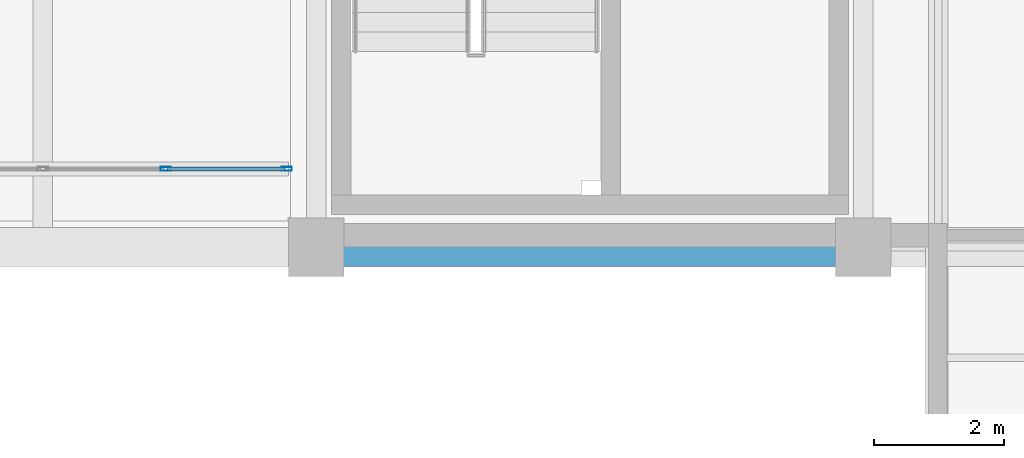
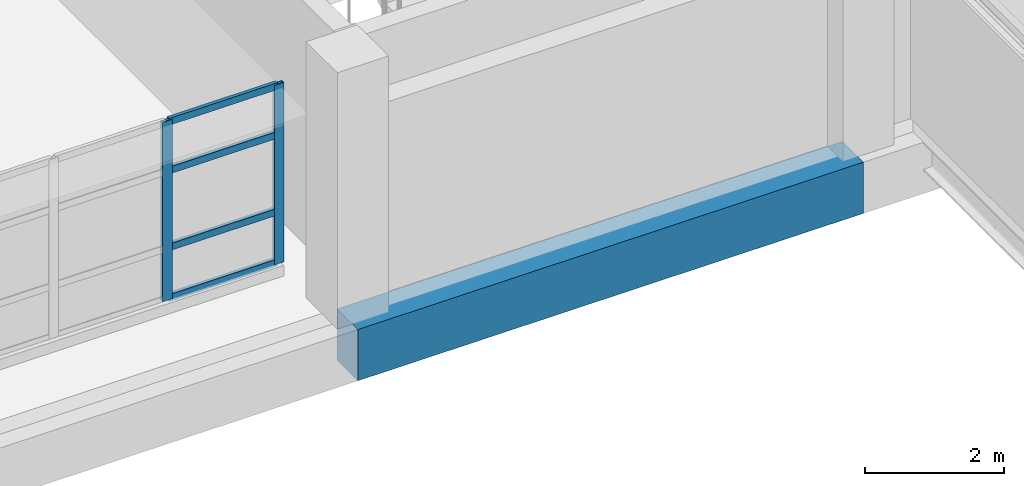
# One storey, part 28 of 113: 6 members, 1 beam, 1 element without a shape of its own.
"""IFC4 building model written with IfcOpenShell, lengths in metres."""

import ifcopenshell
import ifcopenshell.guid

model = None  # the IFC model being written
_history = None  # IfcOwnerHistory: only IFC2X3 demands one
_inside = {}  # id of a spatial element -> (the spatial element, [elements in it])
_under = {}  # id of a project, library or spatial element -> (it, [spatial elements below it])
_declared = {}  # id of a project -> (the project, [libraries it declares])
_typed = {}  # id of a type object -> (the type object, [elements of that type])
_made_of = {}  # id of a material, layer set ... -> (it, [elements and type objects made of it])


def new_model(schema):
    """Start an empty IFC model of exactly this schema.

    Asked for "IFC4X3", IfcOpenShell would pick the latest addendum, in which some entities
    have other attributes; the version numbers below select the first issue.
    IFC2X3 requires an IfcOwnerHistory on every rooted entity: one is made here for all.
    """
    global model, _history
    if schema == "IFC4X3":
        model = ifcopenshell.file(schema_version=(4, 3, 0, 0))
    else:
        model = ifcopenshell.file(schema=schema)
    _inside.clear()
    _under.clear()
    _declared.clear()
    _typed.clear()
    _made_of.clear()
    _history = None
    if model.schema == "IFC2X3":
        org = make("IfcOrganization", Name="unknown")
        user = make(
            "IfcPersonAndOrganization",
            ThePerson=make("IfcPerson", FamilyName="unknown"),
            TheOrganization=org,
        )
        app = make(
            "IfcApplication",
            ApplicationDeveloper=org,
            Version="unknown",
            ApplicationFullName="unknown",
            ApplicationIdentifier="unknown",
        )
        _history = make(
            "IfcOwnerHistory",
            OwningUser=user,
            OwningApplication=app,
            ChangeAction="ADDED",
            CreationDate=0,
        )
    return model


def make(cls, **values):
    """One entity of the class cls with the attributes given. An attribute that is None is left unset."""
    return model.create_entity(
        cls, **{name: value for name, value in values.items() if value is not None}
    )


def rooted(cls, **values):
    """An entity with a GlobalId (a new one), such as an element, a storey or a relation."""
    return make(cls, GlobalId=ifcopenshell.guid.new(), OwnerHistory=_history, **values)


def si_unit(unit_type, name, prefix=None):
    """IfcSIUnit, for example si_unit("LENGTHUNIT", "METRE", prefix="MILLI")."""
    return make("IfcSIUnit", UnitType=unit_type, Prefix=prefix, Name=name)


def assignment(units):
    """IfcUnitAssignment: the units of a project."""
    return None if units is None else make("IfcUnitAssignment", Units=units)


def point(xyz):
    """IfcCartesianPoint."""
    return None if xyz is None else make("IfcCartesianPoint", Coordinates=xyz)


def direction(xyz):
    """IfcDirection."""
    return None if xyz is None else make("IfcDirection", DirectionRatios=xyz)


def frame(location, z_axis=None, x_axis=None):
    """IfcAxis2Placement3D, a coordinate frame: its origin and axes. An axis left out is left unset."""
    return make(
        "IfcAxis2Placement3D",
        Location=point(location),
        Axis=direction(z_axis),
        RefDirection=direction(x_axis),
    )


def frame_2d(location, x_axis=None):
    """IfcAxis2Placement2D, a coordinate frame in the plane: its origin and x axis."""
    return make(
        "IfcAxis2Placement2D", Location=point(location), RefDirection=direction(x_axis)
    )


def origin():
    """The frame at (0, 0, 0) with its axes left unset."""
    return frame((0.0, 0.0, 0.0))


def origin_2d():
    """The frame at (0, 0) in the plane with its x axis left unset."""
    return frame_2d((0.0, 0.0))


def place(relative_to, where):
    """IfcLocalPlacement: puts the frame where relative to a parent placement (None: the world)."""
    return make(
        "IfcLocalPlacement", PlacementRelTo=relative_to, RelativePlacement=where
    )


def context(
    kind, dimensions, precision=None, world=None, true_north=None, identifier=None
):
    """IfcGeometricRepresentationContext, for example the 3D "Model" context."""
    return make(
        "IfcGeometricRepresentationContext",
        ContextIdentifier=identifier,
        ContextType=kind,
        CoordinateSpaceDimension=dimensions,
        Precision=precision,
        WorldCoordinateSystem=world,
        TrueNorth=true_north,
    )


def subcontext(parent, identifier, kind, view, scale=None):
    """IfcGeometricRepresentationSubContext, for example "Body" below "Model"."""
    return make(
        "IfcGeometricRepresentationSubContext",
        ContextIdentifier=identifier,
        ContextType=kind,
        ParentContext=parent,
        TargetScale=scale,
        TargetView=view,
    )


def project(units=None, contexts=None):
    """IfcProject with its units and contexts."""
    return rooted(
        "IfcProject",
        Name="project",
        RepresentationContexts=contexts,
        UnitsInContext=assignment(units),
    )


def spatial(cls, under=None, at=None, **own):
    """A site, building, storey or space (cls), placed at a placement, below another one or the project."""
    s = rooted(cls, ObjectPlacement=at, **own)
    if under is not None:
        _under.setdefault(under.id(), (under, []))[1].append(s)
    return s


def profile(cls, at=None, kind="AREA", **sizes):
    """A parametric profile (cls). Its sizes go by their IFC names, for example OverallWidth=200.0."""
    return make(cls, ProfileType=kind, Position=at, **sizes)


def rectangle(**sizes):
    """IfcRectangleProfileDef."""
    return profile("IfcRectangleProfileDef", **sizes)


def hollow_rectangle(**sizes):
    """IfcRectangleHollowProfileDef."""
    return profile("IfcRectangleHollowProfileDef", **sizes)


def extrude(swept, where, along, depth):
    """IfcExtrudedAreaSolid: the profile swept, set in the frame where, extruded along a direction by depth."""
    return make(
        "IfcExtrudedAreaSolid",
        SweptArea=swept,
        Position=where,
        ExtrudedDirection=direction(along),
        Depth=depth,
    )


def shape(context_of_items, identifier, shape_type, items):
    """IfcShapeRepresentation: the items that make up one representation, for example the "Body"."""
    return make(
        "IfcShapeRepresentation",
        ContextOfItems=context_of_items,
        RepresentationIdentifier=identifier,
        RepresentationType=shape_type,
        Items=items,
    )


def material(Name=None, Category=None):
    """IfcMaterial."""
    return make("IfcMaterial", Name=Name, Category=Category)


def material_profile(
    of_material, cross_section, Name=None, Category=None, Priority=None
):
    """IfcMaterialProfile: a cross section and its material."""
    return make(
        "IfcMaterialProfile",
        Name=Name,
        Material=of_material,
        Profile=cross_section,
        Priority=Priority,
        Category=Category,
    )


def profile_set(profiles, Name=None, composite=None):
    """IfcMaterialProfileSet."""
    return make(
        "IfcMaterialProfileSet",
        Name=Name,
        MaterialProfiles=profiles,
        CompositeProfile=composite,
    )


def made_of(thing, what):
    """Note that an element or type object is made of a material, layer set ...; save() writes the relation."""
    if what is not None:
        _made_of.setdefault(what.id(), (what, []))[1].append(thing)
    return thing


def type_object(cls, material=None, **own):
    """A type object (cls), such as IfcWallType, which elements share."""
    return made_of(rooted(cls, **own), material)


def element(
    cls,
    number,
    at=None,
    inside=None,
    cuts=None,
    type_object=None,
    material=None,
    context=None,
    identifier="Body",
    shape_type=None,
    held_by="IfcProductDefinitionShape",
    body=None,
    shapes=None,
    **own,
):
    """One element of the class cls, such as IfcWall. Its Tag is "e" and its number.

    at: its placement. inside: the storey or other place that contains it. cuts: it is an
    opening in that element (IfcRelVoidsElement). A single representation is given by context,
    identifier, shape_type and body (its items); several are given by shapes. held_by: the class
    of the entity that holds the representations. save() writes the other relations.
    """
    e = rooted(cls, Tag="e%d" % number, ObjectPlacement=at, **own)
    if body is not None:
        shapes = [shape(context, identifier, shape_type, body)]
    if shapes is not None:
        e.Representation = make(held_by, Representations=shapes)
    if inside is not None:
        _inside.setdefault(inside.id(), (inside, []))[1].append(e)
    if cuts is not None:
        rooted(
            "IfcRelVoidsElement", RelatingBuildingElement=cuts, RelatedOpeningElement=e
        )
    if type_object is not None:
        _typed.setdefault(type_object.id(), (type_object, []))[1].append(e)
    return made_of(e, material)


def aggregate(whole, parts):
    """IfcRelAggregates: a whole, such as a stair, and the parts it consists of."""
    return rooted("IfcRelAggregates", RelatingObject=whole, RelatedObjects=parts)


def save(model, path):
    """Write the relations noted so far, then the file.

    IfcRelAggregates (storeys below a building ...), IfcRelContainedInSpatialStructure (elements
    in a storey), IfcRelDefinesByType, IfcRelAssociatesMaterial and IfcRelDeclares: one each for
    every whole, place, type object, material and project.
    """
    for whole, parts in _under.values():
        aggregate(whole, parts)
    for where, things in _inside.values():
        rooted(
            "IfcRelContainedInSpatialStructure",
            RelatedElements=things,
            RelatingStructure=where,
        )
    for kind, things in _typed.values():
        rooted("IfcRelDefinesByType", RelatedObjects=things, RelatingType=kind)
    for what, things in _made_of.values():
        rooted("IfcRelAssociatesMaterial", RelatedObjects=things, RelatingMaterial=what)
    for by, libraries in _declared.values():
        rooted("IfcRelDeclares", RelatingContext=by, RelatedDefinitions=libraries)
    model.write(path)


model = new_model("IFC4")

# Units and contexts
model_context = context("Model", 3, precision=1e-05, world=origin(), true_north=direction((0.0, 1.0)))
body_context = subcontext(model_context, "Body", "Model", "MODEL_VIEW")
ifc_project = project(units=[si_unit("LENGTHUNIT", "METRE"), si_unit("AREAUNIT", "SQUARE_METRE"), si_unit("VOLUMEUNIT", "CUBIC_METRE"), si_unit("PLANEANGLEUNIT", "RADIAN"), si_unit("MASSUNIT", "GRAM", prefix="KILO")], contexts=[model_context])

# Site, building, storey
site_placement = place(None, origin())
site = spatial("IfcSite", under=ifc_project, at=site_placement, CompositionType="ELEMENT")
building_placement = place(site_placement, origin())
building = spatial("IfcBuilding", under=site, at=building_placement, Name="Veltarok Museum of Natural Sciences", CompositionType="ELEMENT")
storey_placement = place(building_placement, frame((0.0, 0.0, 8.39990234375)))
storey = spatial("IfcBuildingStorey", under=building, at=storey_placement, Name="L01", CompositionType="ELEMENT", Elevation=8.39990234375)

# Curtain wall, members
ifc_material_1 = material(Name="Low-iron triple insulated glass", Category="glass")
curtain_wall_type = type_object("IfcCurtainWallType", Name="Curtain Wall System CW-CAB-L01-A-755x315 (V1 Recessed L01 755x315cm)", PredefinedType="NOTDEFINED", material=ifc_material_1)
curtain_wall_placement = place(storey_placement, origin())
curtain_wall = element("IfcCurtainWall", 1, at=curtain_wall_placement, inside=storey, type_object=curtain_wall_type, Name="Curtain Wall CW-CAB-L01-A-755x315 CW-0002", PredefinedType="NOTDEFINED")
ifc_material_2 = material(Name="Thermally broken anodised aluminium", Category="aluminium")
ifc_material_profile_1 = material_profile(ifc_material_2, hollow_rectangle(XDim=0.06005859375, YDim=0.1201171875, WallThickness=0.0048828125, at=origin_2d()), Name="CW TRANSOM 60x120x5")
ifc_profile_set_1 = profile_set([ifc_material_profile_1], Name="Thermally broken anodised aluminium")
member_type_1 = type_object("IfcMemberType", Name="Curtain Wall Horizontal Transom 60x120x5", PredefinedType="USERDEFINED", material=ifc_profile_set_1)
member_1_placement = place(storey_placement, frame((88.117431640625, 1.199951171875, 0.210205078125), z_axis=(1.0, 0.0, 0.0), x_axis=(0.0, 1.0, 0.0)))
member_1 = element("IfcMember", 2, at=member_1_placement, type_object=member_type_1, Name="CW-CAB-L01-A-755x315 transom 4.1", ObjectType="TRANSOM", PredefinedType="USERDEFINED", context=body_context, shape_type="SweptSolid", body=[
    extrude(hollow_rectangle(XDim=0.06005859375, YDim=0.1201171875, WallThickness=0.0048828125, at=origin_2d()), origin(), (0.0, 0.0, 1.0), 1.797607421875),
])
member_2_placement = place(storey_placement, frame((88.117431640625, 1.199951171875, 1.10009765625), z_axis=(1.0, 0.0, 0.0), x_axis=(0.0, 1.0, 0.0)))
member_2 = element("IfcMember", 3, at=member_2_placement, type_object=member_type_1, Name="CW-CAB-L01-A-755x315 transom 4.2", ObjectType="TRANSOM", PredefinedType="USERDEFINED", context=body_context, shape_type="SweptSolid", body=[
    extrude(hollow_rectangle(XDim=0.06005859375, YDim=0.1201171875, WallThickness=0.0048828125, at=origin_2d()), origin(), (0.0, 0.0, 1.0), 1.797607421875),
])
member_3_placement = place(storey_placement, frame((88.117431640625, 1.199951171875, 2.4501953125), z_axis=(1.0, 0.0, 0.0), x_axis=(0.0, 1.0, 0.0)))
member_3 = element("IfcMember", 4, at=member_3_placement, type_object=member_type_1, Name="CW-CAB-L01-A-755x315 transom 4.3", ObjectType="TRANSOM", PredefinedType="USERDEFINED", context=body_context, shape_type="SweptSolid", body=[
    extrude(hollow_rectangle(XDim=0.06005859375, YDim=0.1201171875, WallThickness=0.0048828125, at=origin_2d()), origin(), (0.0, 0.0, 1.0), 1.797607421875),
])
member_4_placement = place(storey_placement, frame((88.117431640625, 1.199951171875, 3.30517578125), z_axis=(1.0, 0.0, 0.0), x_axis=(0.0, 1.0, 0.0)))
member_4 = element("IfcMember", 5, at=member_4_placement, type_object=member_type_1, Name="CW-CAB-L01-A-755x315 transom 4.4", ObjectType="TRANSOM", PredefinedType="USERDEFINED", context=body_context, shape_type="SweptSolid", body=[
    extrude(hollow_rectangle(XDim=0.06005859375, YDim=0.1201171875, WallThickness=0.0048828125, at=origin_2d()), origin(), (0.0, 0.0, 1.0), 1.797607421875),
])
ifc_material_profile_2 = material_profile(ifc_material_2, hollow_rectangle(XDim=0.06005859375, YDim=0.159912109375, WallThickness=0.0048828125, at=origin_2d()), Name="CW MULLION 60x160x5")
ifc_profile_set_2 = profile_set([ifc_material_profile_2], Name="Thermally broken anodised aluminium")
member_type_2 = type_object("IfcMemberType", Name="Curtain Wall Vertical Mullion 60x160x5", PredefinedType="MULLION", material=ifc_profile_set_2)
member_5_placement = place(storey_placement, frame((88.08740234375, 1.199951171875, 0.18017578125), z_axis=(0.0, 0.0, 1.0), x_axis=(0.0, 1.0, 0.0)))
member_5 = element("IfcMember", 6, at=member_5_placement, type_object=member_type_2, Name="CW-CAB-L01-A-755x315 mullion 4", PredefinedType="MULLION", context=body_context, shape_type="SweptSolid", body=[
    extrude(hollow_rectangle(XDim=0.06005859375, YDim=0.159912109375, WallThickness=0.0048828125, at=origin_2d()), origin(), (0.0, 0.0, 1.0), 3.155029296875),
])
member_6_placement = place(storey_placement, frame((89.945068359375, 1.199951171875, 0.18017578125), z_axis=(0.0, 0.0, 1.0), x_axis=(0.0, 1.0, 0.0)))
member_6 = element("IfcMember", 7, at=member_6_placement, type_object=member_type_2, Name="CW-CAB-L01-A-755x315 mullion 5", PredefinedType="MULLION", context=body_context, shape_type="SweptSolid", body=[
    extrude(hollow_rectangle(XDim=0.06005859375, YDim=0.159912109375, WallThickness=0.0048828125, at=origin_2d()), origin(), (0.0, 0.0, 1.0), 3.155029296875),
])
aggregate(curtain_wall, [member_5, member_6, member_1, member_2, member_3, member_4])

# Beam
ifc_material_3 = material(Name="Concrete C40/50", Category="concrete")
ifc_material_profile_3 = material_profile(ifc_material_3, rectangle(XDim=0.60009765625, YDim=0.89990234375, at=origin_2d()), Name="RC 600x900")
ifc_profile_set_3 = profile_set([ifc_material_profile_3], Name="Concrete C40/50")
beam_type = type_object("IfcBeamType", Name="Exposed Cabinet Perimeter Spandrel RC 600x900", PredefinedType="SPANDREL", material=ifc_profile_set_3)
beam_placement = place(storey_placement, frame((90.39990234375, 0.0, -0.699951171875), z_axis=(1.0, 0.0, 0.0), x_axis=(0.0, 1.0, 0.0)))
element("IfcBeam", 8, at=beam_placement, inside=storey, type_object=beam_type, Name="Beam BM-SP01 L01 11-12/A", PredefinedType="SPANDREL", context=body_context, shape_type="SweptSolid", body=[
    extrude(rectangle(XDim=0.60009765625, YDim=0.89990234375, at=origin_2d()), origin(), (0.0, 0.0, 1.0), 8.400146484375),
])

save(model, "model.ifc")
